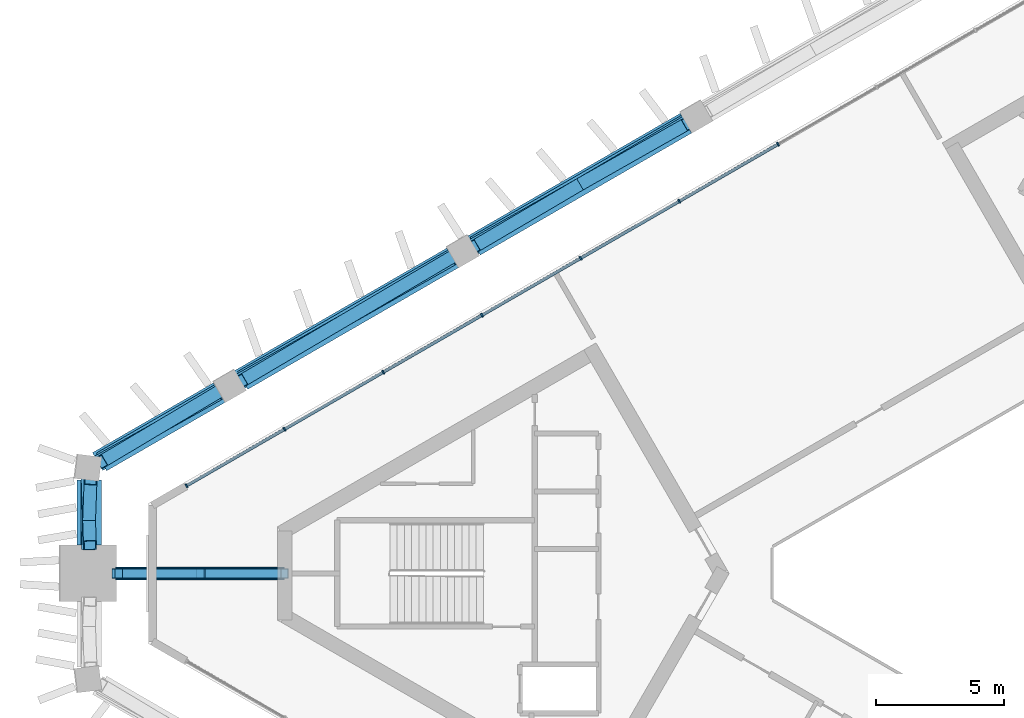
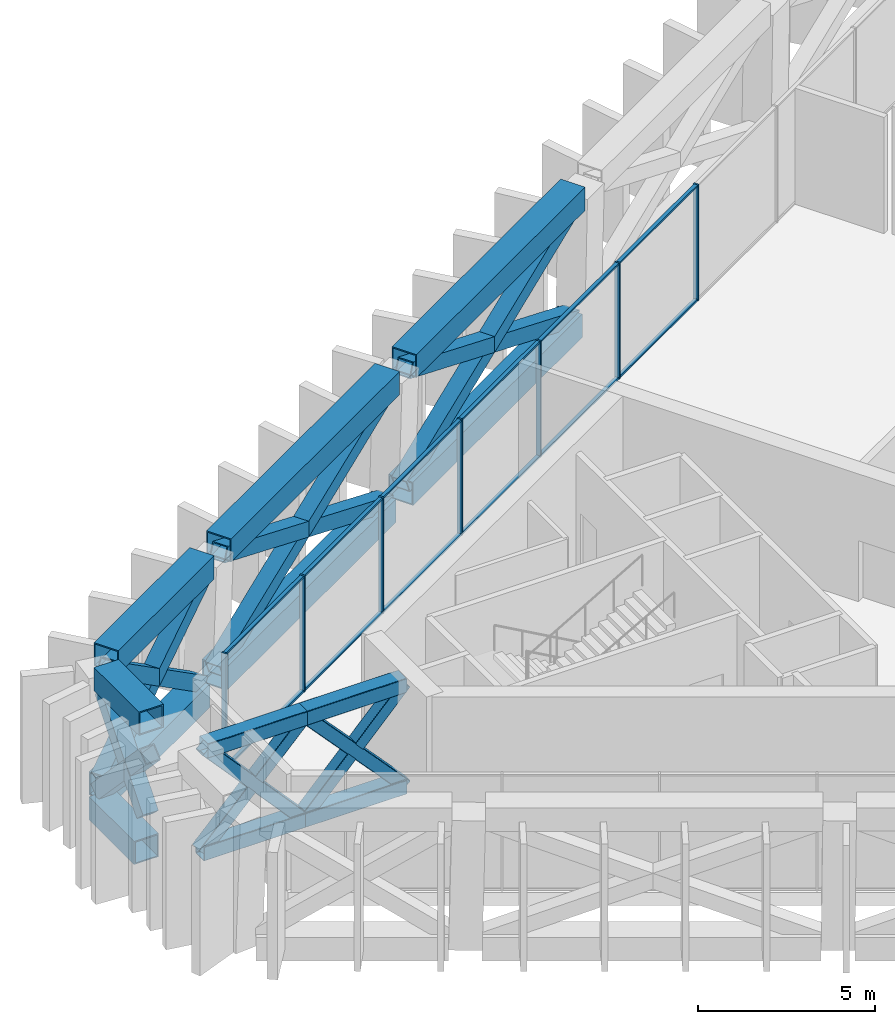
# One storey, part 5 of 15: 43 members, 1 element without a shape of its own.
"""IFC4 building model written with IfcOpenShell, lengths in metres."""

from ifc_helpers import new_model, si_unit, direction, frame, origin, origin_2d, place, context, subcontext, project, spatial, rectangle, hollow_rectangle, extrude, material, layer, layer_set, material_profile, profile_set, type_object, element, aggregate, save


model = new_model("IFC4")

# Units and contexts
model_context = context("Model", 3, precision=1e-05, world=origin(), true_north=direction((0.0, 1.0)))
body_context = subcontext(model_context, "Body", "Model", "MODEL_VIEW")
ifc_project = project(units=[si_unit("LENGTHUNIT", "METRE"), si_unit("AREAUNIT", "SQUARE_METRE"), si_unit("VOLUMEUNIT", "CUBIC_METRE"), si_unit("PLANEANGLEUNIT", "RADIAN"), si_unit("MASSUNIT", "GRAM", prefix="KILO")], contexts=[model_context])

# Site, building, storey
site_placement = place(None, origin())
site = spatial("IfcSite", under=ifc_project, at=site_placement, CompositionType="ELEMENT")
building_placement = place(site_placement, origin())
building = spatial("IfcBuilding", under=site, at=building_placement, Name="Jabali Bay Hotel Tower and Convention Centre", CompositionType="ELEMENT")
storey_placement = place(building_placement, frame((0.0, 0.0, 201.39990234375)))
storey = spatial("IfcBuildingStorey", under=building, at=storey_placement, Name="L49", CompositionType="ELEMENT", Elevation=201.39990234375)

# Members
ifc_material_1 = material(Name="Steel Q420GJC", Category="steel")
ifc_material_profile_1 = material_profile(ifc_material_1, hollow_rectangle(XDim=0.5, YDim=0.5, WallThickness=0.030029296875, at=origin_2d()), Name="Belt brace 500x500x30")
ifc_profile_set_1 = profile_set([ifc_material_profile_1], Name="Steel Q420GJC")
member_type_1 = type_object("IfcMemberType", Name="Belt brace 500x500x30", PredefinedType="BRACE", material=ifc_profile_set_1)
member_1_placement = place(storey_placement, frame((64.2958984375, 97.590087890625, 0.19970703125), z_axis=(-0.794404690147, -0.467659995781, 0.387576207498), x_axis=(0.507312743637, -0.861762020597, 0.0)))
element("IfcMember", 1, at=member_1_placement, inside=storey, type_object=member_type_1, Name="Belt brace T4 F1.3-F1.4 x1", PredefinedType="BRACE", context=body_context, shape_type="SweptSolid", body=[
    extrude(hollow_rectangle(XDim=0.5, YDim=0.5, WallThickness=0.030029296875, at=origin_2d()), origin(), (0.0, 0.0, 1.0), 10.322509765625),
])
member_2_placement = place(storey_placement, frame((56.014892578125, 92.80908203125, 0.198974609375), z_axis=(0.802738191331, 0.454478314696, 0.386084003359), x_axis=(-0.492678845652, 0.870211212894, 0.0)))
element("IfcMember", 2, at=member_2_placement, inside=storey, type_object=member_type_1, Name="Belt brace T4 F1.3-F1.4 x2", PredefinedType="BRACE", context=body_context, shape_type="SweptSolid", body=[
    extrude(hollow_rectangle(XDim=0.5, YDim=0.5, WallThickness=0.030029296875, at=origin_2d()), origin(), (0.0, 0.0, 1.0), 10.3662109375),
])
member_3_placement = place(storey_placement, frame((55.192138671875, 92.333984375, 0.20068359375), z_axis=(-0.79384591824, -0.467385958924, 0.389048870317), x_axis=(0.50735700666, -0.861735961762, 0.0)))
element("IfcMember", 3, at=member_3_placement, inside=storey, type_object=member_type_1, Name="Belt brace T4 F1.4-F1.5 x1", PredefinedType="BRACE", context=body_context, shape_type="SweptSolid", body=[
    extrude(hollow_rectangle(XDim=0.5, YDim=0.5, WallThickness=0.030029296875, at=origin_2d()), origin(), (0.0, 0.0, 1.0), 10.2783203125),
])
member_4_placement = place(storey_placement, frame((46.910888671875, 87.552978515625, 0.197998046875), z_axis=(0.803258748783, 0.454793790586, 0.384627079843), x_axis=(-0.49269587417, 0.870201571807, 0.0)))
element("IfcMember", 4, at=member_4_placement, inside=storey, type_object=member_type_1, Name="Belt brace T4 F1.4-F1.5 x2", PredefinedType="BRACE", context=body_context, shape_type="SweptSolid", body=[
    extrude(hollow_rectangle(XDim=0.5, YDim=0.5, WallThickness=0.030029296875, at=origin_2d()), origin(), (0.0, 0.0, 1.0), 10.410400390625),
])
member_5_placement = place(storey_placement, frame((46.089599609375, 87.07568359375, 0.333984375), z_axis=(-0.702600609543, -0.419054839885, 0.575104707543), x_axis=(0.512242002327, -0.858841155891, 0.0)))
element("IfcMember", 5, at=member_5_placement, inside=storey, type_object=member_type_1, Name="Belt brace T4 F1.5-V3 x1", PredefinedType="BRACE", context=body_context, shape_type="SweptSolid", body=[
    extrude(hollow_rectangle(XDim=0.5, YDim=0.5, WallThickness=0.030029296875, at=origin_2d()), origin(), (0.0, 0.0, 1.0), 6.489501953125),
])
member_6_placement = place(storey_placement, frame((41.381591796875, 84.357666015625, 0.322509765625), z_axis=(0.722084787714, 0.403807985927, 0.561722947594), x_axis=(-0.488088462161, 0.872794164225, 0.0)))
element("IfcMember", 6, at=member_6_placement, inside=storey, type_object=member_type_1, Name="Belt brace T4 F1.5-V3 x2", PredefinedType="BRACE", context=body_context, shape_type="SweptSolid", body=[
    extrude(hollow_rectangle(XDim=0.5, YDim=0.5, WallThickness=0.030029296875, at=origin_2d()), origin(), (0.0, 0.0, 1.0), 6.68505859375),
])
member_7_placement = place(storey_placement, frame((40.98486328125, 83.651123046875, 0.50634765625), z_axis=(0.025709058742, -0.683808628576, 0.729208340451), x_axis=(0.999293986366, 0.037570318248, 0.0)))
element("IfcMember", 7, at=member_7_placement, inside=storey, type_object=member_type_1, Name="Belt brace T4 V3-M0 x1", PredefinedType="BRACE", context=body_context, shape_type="SweptSolid", body=[
    extrude(hollow_rectangle(XDim=0.5, YDim=0.5, WallThickness=0.030029296875, at=origin_2d()), origin(), (0.0, 0.0, 1.0), 3.73193359375),
])
member_8_placement = place(storey_placement, frame((41.008544921875, 81.09912109375, 1.176025390625), z_axis=(0.025664835143, 0.682645231432, 0.730299119704), x_axis=(-0.999294012939, 0.037569611448, 0.0)))
element("IfcMember", 8, at=member_8_placement, inside=storey, type_object=member_type_1, Name="Belt brace T4 V3-M0 x2", PredefinedType="BRACE", context=body_context, shape_type="SweptSolid", body=[
    extrude(hollow_rectangle(XDim=0.5, YDim=0.5, WallThickness=0.030029296875, at=origin_2d()), origin(), (0.0, 0.0, 1.0), 3.719482421875),
])
ifc_material_profile_2 = material_profile(ifc_material_1, hollow_rectangle(XDim=0.800048828125, YDim=0.800048828125, WallThickness=0.0400390625, at=origin_2d()), Name="Belt chord 800x800x40")
ifc_profile_set_2 = profile_set([ifc_material_profile_2], Name="Steel Q420GJC")
member_type_2 = type_object("IfcMemberType", Name="Belt chord 800x800x40", PredefinedType="CHORD", material=ifc_profile_set_2)
member_9_placement = place(storey_placement, frame((64.2939453125, 97.59375, 0.0), z_axis=(-0.866022320763, -0.500005339912, 0.0), x_axis=(0.500005339912, -0.866022320763, 0.0)))
element("IfcMember", 9, at=member_9_placement, inside=storey, type_object=member_type_2, Name="Belt chord T4 F1.3-F1.4", PredefinedType="CHORD", context=body_context, shape_type="SweptSolid", body=[
    extrude(hollow_rectangle(XDim=0.800048828125, YDim=0.800048828125, WallThickness=0.0400390625, at=origin_2d()), origin(), (0.0, 0.0, 1.0), 9.5625),
])
member_10_placement = place(storey_placement, frame((55.18994140625, 92.337646484375, 0.0), z_axis=(-0.866015937585, -0.50001639558, 0.0), x_axis=(0.50001639558, -0.866015937585, 0.0)))
element("IfcMember", 10, at=member_10_placement, inside=storey, type_object=member_type_2, Name="Belt chord T4 F1.4-F1.5", PredefinedType="CHORD", context=body_context, shape_type="SweptSolid", body=[
    extrude(hollow_rectangle(XDim=0.800048828125, YDim=0.800048828125, WallThickness=0.0400390625, at=origin_2d()), origin(), (0.0, 0.0, 1.0), 9.562255859375),
])
member_11_placement = place(storey_placement, frame((46.086181640625, 87.08154296875, 0.0), z_axis=(-0.86600683621, -0.500032158604, 0.0), x_axis=(0.500032158604, -0.86600683621, 0.0)))
element("IfcMember", 11, at=member_11_placement, inside=storey, type_object=member_type_2, Name="Belt chord T4 F1.5-V3", PredefinedType="CHORD", context=body_context, shape_type="SweptSolid", body=[
    extrude(hollow_rectangle(XDim=0.800048828125, YDim=0.800048828125, WallThickness=0.0400390625, at=origin_2d()), origin(), (0.0, 0.0, 1.0), 5.436279296875),
])
member_12_placement = place(storey_placement, frame((40.967041015625, 83.65087890625, 0.0), z_axis=(0.0, -1.0, 0.0), x_axis=(1.0, 0.0, 0.0)))
element("IfcMember", 12, at=member_12_placement, inside=storey, type_object=member_type_2, Name="Belt chord T4 V3-M0", PredefinedType="CHORD", context=body_context, shape_type="SweptSolid", body=[
    extrude(hollow_rectangle(XDim=0.800048828125, YDim=0.800048828125, WallThickness=0.0400390625, at=origin_2d()), origin(), (0.0, 0.0, 1.0), 2.55078125),
])
for number, where, z_axis, x_axis, name in (
    (13, (64.338134765625, 97.5166015625, 4.400146484375), (-0.866022362689, -0.500005267295, 0.0), (0.500005267295, -0.866022362689, 0.0), "Belt chord T4 F1.3-F1.4"),
    (14, (55.275146484375, 92.2841796875, 4.400146484375), (-0.866028777211, -0.499994157009, 0.0), (0.499994157009, -0.866028777211, 0.0), "Belt chord T4 F1.4-F1.5"),
):
    element("IfcMember", number, at=place(storey_placement, frame(where, z_axis=z_axis, x_axis=x_axis)), inside=storey, type_object=member_type_2, Name=name, PredefinedType="CHORD", context=body_context, shape_type="SweptSolid", body=[
        extrude(hollow_rectangle(XDim=0.800048828125, YDim=0.800048828125, WallThickness=0.0400390625, at=origin_2d()), origin(), (0.0, 0.0, 1.0), 9.51513671875),
    ])
member_13_placement = place(storey_placement, frame((46.2119140625, 87.051513671875, 4.400146484375), z_axis=(-0.866020770008, -0.50000802585, 0.0), x_axis=(0.50000802585, -0.866020770008, 0.0)))
element("IfcMember", 15, at=member_13_placement, inside=storey, type_object=member_type_2, Name="Belt chord T4 F1.5-V3", PredefinedType="CHORD", context=body_context, shape_type="SweptSolid", body=[
    extrude(hollow_rectangle(XDim=0.800048828125, YDim=0.800048828125, WallThickness=0.0400390625, at=origin_2d()), origin(), (0.0, 0.0, 1.0), 5.40234375),
])
member_14_placement = place(storey_placement, frame((41.1220703125, 83.6376953125, 4.400146484375), z_axis=(0.0, -1.0, 0.0), x_axis=(1.0, 0.0, 0.0)))
element("IfcMember", 16, at=member_14_placement, inside=storey, type_object=member_type_2, Name="Belt chord T4 V3-M0", PredefinedType="CHORD", context=body_context, shape_type="SweptSolid", body=[
    extrude(hollow_rectangle(XDim=0.800048828125, YDim=0.800048828125, WallThickness=0.0400390625, at=origin_2d()), origin(), (0.0, 0.0, 1.0), 2.53759765625),
])

# Curtain wall, members
ifc_material_2 = material(Name="Aluminium and glass", Category="aluminium")
ifc_layer = layer(ifc_material_2, 0.159912109375)
ifc_layer_set = layer_set([ifc_layer], Name="Aluminium and glass")
curtain_wall_type = type_object("IfcCurtainWallType", Name="CW3 curtain wall", PredefinedType="NOTDEFINED", material=ifc_layer_set)
curtain_wall_placement = place(storey_placement, origin())
curtain_wall = element("IfcCurtainWall", 17, at=curtain_wall_placement, inside=storey, type_object=curtain_wall_type, Name="CW3 curtain wall north-west face L49", PredefinedType="NOTDEFINED")
ifc_material_3 = material(Name="Aluminium", Category="aluminium")
ifc_material_profile_3 = material_profile(ifc_material_3, rectangle(XDim=0.159912109375, YDim=0.06005859375, at=origin_2d()), Name="CW3 mullion 60 x 160")
ifc_profile_set_3 = profile_set([ifc_material_profile_3], Name="Aluminium")
member_type_3 = type_object("IfcMemberType", Name="CW3 mullion 60 x 160", PredefinedType="MULLION", material=ifc_profile_set_3)
member_15_placement = place(storey_placement, frame((44.842041015625, 83.418701171875, 0.0), z_axis=(0.0, 0.0, 1.0), x_axis=(-0.500000002025, 0.866025402615, 0.0)))
member_15 = element("IfcMember", 18, at=member_15_placement, type_object=member_type_3, Name="CW3 mullion 1", PredefinedType="MULLION", context=body_context, shape_type="SweptSolid", body=[
    extrude(rectangle(XDim=0.159912109375, YDim=0.06005859375, at=origin_2d()), origin(), (0.0, 0.0, 1.0), 4.0),
])
member_16_placement = place(storey_placement, frame((48.6640625, 85.625244140625, 0.0), z_axis=(0.0, 0.0, 1.0), x_axis=(-0.500000002025, 0.866025402615, 0.0)))
member_16 = element("IfcMember", 19, at=member_16_placement, type_object=member_type_3, Name="CW3 mullion 2", PredefinedType="MULLION", context=body_context, shape_type="SweptSolid", body=[
    extrude(rectangle(XDim=0.159912109375, YDim=0.06005859375, at=origin_2d()), origin(), (0.0, 0.0, 1.0), 4.0),
])
member_17_placement = place(storey_placement, frame((52.51220703125, 87.846923828125, 0.0), z_axis=(0.0, 0.0, 1.0), x_axis=(-0.500000002025, 0.866025402615, 0.0)))
member_17 = element("IfcMember", 20, at=member_17_placement, type_object=member_type_3, Name="CW3 mullion 3", PredefinedType="MULLION", context=body_context, shape_type="SweptSolid", body=[
    extrude(rectangle(XDim=0.159912109375, YDim=0.06005859375, at=origin_2d()), origin(), (0.0, 0.0, 1.0), 4.0),
])
member_18_placement = place(storey_placement, frame((56.360107421875, 90.068603515625, 0.0), z_axis=(0.0, 0.0, 1.0), x_axis=(-0.500000002025, 0.866025402615, 0.0)))
member_18 = element("IfcMember", 21, at=member_18_placement, type_object=member_type_3, Name="CW3 mullion 4", PredefinedType="MULLION", context=body_context, shape_type="SweptSolid", body=[
    extrude(rectangle(XDim=0.159912109375, YDim=0.06005859375, at=origin_2d()), origin(), (0.0, 0.0, 1.0), 4.0),
])
member_19_placement = place(storey_placement, frame((60.208251953125, 92.290283203125, 0.0), z_axis=(0.0, 0.0, 1.0), x_axis=(-0.500000002025, 0.866025402615, 0.0)))
member_19 = element("IfcMember", 22, at=member_19_placement, type_object=member_type_3, Name="CW3 mullion 5", PredefinedType="MULLION", context=body_context, shape_type="SweptSolid", body=[
    extrude(rectangle(XDim=0.159912109375, YDim=0.06005859375, at=origin_2d()), origin(), (0.0, 0.0, 1.0), 4.0),
])
member_20_placement = place(storey_placement, frame((64.05615234375, 94.511962890625, 0.0), z_axis=(0.0, 0.0, 1.0), x_axis=(-0.500000002025, 0.866025402615, 0.0)))
member_20 = element("IfcMember", 23, at=member_20_placement, type_object=member_type_3, Name="CW3 mullion 6", PredefinedType="MULLION", context=body_context, shape_type="SweptSolid", body=[
    extrude(rectangle(XDim=0.159912109375, YDim=0.06005859375, at=origin_2d()), origin(), (0.0, 0.0, 1.0), 4.0),
])
member_21_placement = place(storey_placement, frame((67.904296875, 96.733642578125, 0.0), z_axis=(0.0, 0.0, 1.0), x_axis=(-0.500000002025, 0.866025402615, 0.0)))
member_21 = element("IfcMember", 24, at=member_21_placement, type_object=member_type_3, Name="CW3 mullion 7", PredefinedType="MULLION", context=body_context, shape_type="SweptSolid", body=[
    extrude(rectangle(XDim=0.159912109375, YDim=0.06005859375, at=origin_2d()), origin(), (0.0, 0.0, 1.0), 4.0),
])
ifc_material_profile_4 = material_profile(ifc_material_3, rectangle(XDim=0.1201171875, YDim=0.06005859375, at=origin_2d()), Name="CW3 transom 60 x 120")
ifc_profile_set_4 = profile_set([ifc_material_profile_4], Name="Aluminium")
member_type_4 = type_object("IfcMemberType", Name="CW3 transom 60 x 120", PredefinedType="USERDEFINED", material=ifc_profile_set_4)
member_22_placement = place(storey_placement, frame((44.867919921875, 83.43359375, 0.030029296875), z_axis=(0.86602589447, 0.499999150107, 0.0), x_axis=(-0.499999150107, 0.86602589447, 0.0)))
member_22 = element("IfcMember", 25, at=member_22_placement, type_object=member_type_4, Name="CW3 transom 1.1", ObjectType="TRANSOM", PredefinedType="USERDEFINED", context=body_context, shape_type="SweptSolid", body=[
    extrude(rectangle(XDim=0.1201171875, YDim=0.06005859375, at=origin_2d()), origin(), (0.0, 0.0, 1.0), 4.353515625),
])
member_23_placement = place(storey_placement, frame((44.867919921875, 83.43359375, 3.97021484375), z_axis=(0.86602589447, 0.499999150107, 0.0), x_axis=(-0.499999150107, 0.86602589447, 0.0)))
member_23 = element("IfcMember", 26, at=member_23_placement, type_object=member_type_4, Name="CW3 transom 1.2", ObjectType="TRANSOM", PredefinedType="USERDEFINED", context=body_context, shape_type="SweptSolid", body=[
    extrude(rectangle(XDim=0.1201171875, YDim=0.06005859375, at=origin_2d()), origin(), (0.0, 0.0, 1.0), 4.353515625),
])
member_24_placement = place(storey_placement, frame((48.68994140625, 85.640380859375, 0.030029296875), z_axis=(0.866030693553, 0.49999083774, 0.0), x_axis=(-0.49999083774, 0.866030693553, 0.0)))
member_24 = element("IfcMember", 27, at=member_24_placement, type_object=member_type_4, Name="CW3 transom 2.1", ObjectType="TRANSOM", PredefinedType="USERDEFINED", context=body_context, shape_type="SweptSolid", body=[
    extrude(rectangle(XDim=0.1201171875, YDim=0.06005859375, at=origin_2d()), origin(), (0.0, 0.0, 1.0), 4.38330078125),
])
member_25_placement = place(storey_placement, frame((48.68994140625, 85.640380859375, 3.97021484375), z_axis=(0.866030693553, 0.49999083774, 0.0), x_axis=(-0.49999083774, 0.866030693553, 0.0)))
member_25 = element("IfcMember", 28, at=member_25_placement, type_object=member_type_4, Name="CW3 transom 2.2", ObjectType="TRANSOM", PredefinedType="USERDEFINED", context=body_context, shape_type="SweptSolid", body=[
    extrude(rectangle(XDim=0.1201171875, YDim=0.06005859375, at=origin_2d()), origin(), (0.0, 0.0, 1.0), 4.38330078125),
])
member_26_placement = place(storey_placement, frame((52.5380859375, 87.862060546875, 0.030029296875), z_axis=(0.866030693553, 0.49999083774, 0.0), x_axis=(-0.49999083774, 0.866030693553, 0.0)))
member_26 = element("IfcMember", 29, at=member_26_placement, type_object=member_type_4, Name="CW3 transom 3.1", ObjectType="TRANSOM", PredefinedType="USERDEFINED", context=body_context, shape_type="SweptSolid", body=[
    extrude(rectangle(XDim=0.1201171875, YDim=0.06005859375, at=origin_2d()), origin(), (0.0, 0.0, 1.0), 4.38330078125),
])
member_27_placement = place(storey_placement, frame((52.5380859375, 87.862060546875, 3.97021484375), z_axis=(0.866030693553, 0.49999083774, 0.0), x_axis=(-0.49999083774, 0.866030693553, 0.0)))
member_27 = element("IfcMember", 30, at=member_27_placement, type_object=member_type_4, Name="CW3 transom 3.2", ObjectType="TRANSOM", PredefinedType="USERDEFINED", context=body_context, shape_type="SweptSolid", body=[
    extrude(rectangle(XDim=0.1201171875, YDim=0.06005859375, at=origin_2d()), origin(), (0.0, 0.0, 1.0), 4.38330078125),
])
member_28_placement = place(storey_placement, frame((56.385986328125, 90.08349609375, 0.030029296875), z_axis=(0.866006576058, 0.500032609161, 0.0), x_axis=(-0.500032609161, 0.866006576058, 0.0)))
member_28 = element("IfcMember", 31, at=member_28_placement, type_object=member_type_4, Name="CW3 transom 4.1", ObjectType="TRANSOM", PredefinedType="USERDEFINED", context=body_context, shape_type="SweptSolid", body=[
    extrude(rectangle(XDim=0.1201171875, YDim=0.06005859375, at=origin_2d()), origin(), (0.0, 0.0, 1.0), 4.383544921875),
])
member_29_placement = place(storey_placement, frame((56.385986328125, 90.08349609375, 3.97021484375), z_axis=(0.866006576058, 0.500032609161, 0.0), x_axis=(-0.500032609161, 0.866006576058, 0.0)))
member_29 = element("IfcMember", 32, at=member_29_placement, type_object=member_type_4, Name="CW3 transom 4.2", ObjectType="TRANSOM", PredefinedType="USERDEFINED", context=body_context, shape_type="SweptSolid", body=[
    extrude(rectangle(XDim=0.1201171875, YDim=0.06005859375, at=origin_2d()), origin(), (0.0, 0.0, 1.0), 4.383544921875),
])
member_30_placement = place(storey_placement, frame((60.234130859375, 92.30517578125, 0.030029296875), z_axis=(0.866030693553, 0.49999083774, 0.0), x_axis=(-0.49999083774, 0.866030693553, 0.0)))
member_30 = element("IfcMember", 33, at=member_30_placement, type_object=member_type_4, Name="CW3 transom 5.1", ObjectType="TRANSOM", PredefinedType="USERDEFINED", context=body_context, shape_type="SweptSolid", body=[
    extrude(rectangle(XDim=0.1201171875, YDim=0.06005859375, at=origin_2d()), origin(), (0.0, 0.0, 1.0), 4.38330078125),
])
member_31_placement = place(storey_placement, frame((60.234130859375, 92.30517578125, 3.97021484375), z_axis=(0.866030693553, 0.49999083774, 0.0), x_axis=(-0.49999083774, 0.866030693553, 0.0)))
member_31 = element("IfcMember", 34, at=member_31_placement, type_object=member_type_4, Name="CW3 transom 5.2", ObjectType="TRANSOM", PredefinedType="USERDEFINED", context=body_context, shape_type="SweptSolid", body=[
    extrude(rectangle(XDim=0.1201171875, YDim=0.06005859375, at=origin_2d()), origin(), (0.0, 0.0, 1.0), 4.38330078125),
])
member_32_placement = place(storey_placement, frame((64.082275390625, 94.52685546875, 0.030029296875), z_axis=(0.866016768837, 0.500014955869, 0.0), x_axis=(-0.500014955869, 0.866016768837, 0.0)))
member_32 = element("IfcMember", 35, at=member_32_placement, type_object=member_type_4, Name="CW3 transom 6.1", ObjectType="TRANSOM", PredefinedType="USERDEFINED", context=body_context, shape_type="SweptSolid", body=[
    extrude(rectangle(XDim=0.1201171875, YDim=0.06005859375, at=origin_2d()), origin(), (0.0, 0.0, 1.0), 4.383056640625),
])
member_33_placement = place(storey_placement, frame((64.082275390625, 94.52685546875, 3.97021484375), z_axis=(0.866016768837, 0.500014955869, 0.0), x_axis=(-0.500014955869, 0.866016768837, 0.0)))
member_33 = element("IfcMember", 36, at=member_33_placement, type_object=member_type_4, Name="CW3 transom 6.2", ObjectType="TRANSOM", PredefinedType="USERDEFINED", context=body_context, shape_type="SweptSolid", body=[
    extrude(rectangle(XDim=0.1201171875, YDim=0.06005859375, at=origin_2d()), origin(), (0.0, 0.0, 1.0), 4.383056640625),
])
aggregate(curtain_wall, [member_15, member_16, member_17, member_18, member_19, member_20, member_21, member_22, member_23, member_24, member_25, member_26, member_27, member_28, member_29, member_30, member_31, member_32, member_33])

# Members
ifc_material_profile_5 = material_profile(ifc_material_1, hollow_rectangle(XDim=0.39990234375, YDim=0.39990234375, WallThickness=0.011962890625, InnerFilletRadius=0.01806640625, OuterFilletRadius=0.030029296875, at=origin_2d()), Name="Outrigger brace 400x400x12")
ifc_profile_set_5 = profile_set([ifc_material_profile_5], Name="Steel Q420GJC")
member_type_5 = type_object("IfcMemberType", Name="Outrigger brace 400x400x12", PredefinedType="BRACE", material=ifc_profile_set_5)
member_34_placement = place(storey_placement, frame((48.671875, 80.0, 0.25), z_axis=(-0.678909490533, 0.0, 0.734221971657), x_axis=(0.0, -1.0, 0.0)))
element("IfcMember", 37, at=member_34_placement, inside=storey, type_object=member_type_5, Name="Outrigger brace T4 1.1x1", PredefinedType="BRACE", context=body_context, shape_type="SweptSolid", body=[
    extrude(hollow_rectangle(XDim=0.39990234375, YDim=0.39990234375, WallThickness=0.011962890625, InnerFilletRadius=0.01806640625, OuterFilletRadius=0.030029296875, at=origin_2d()), origin(), (0.0, 0.0, 1.0), 4.766845703125),
])
member_35_placement = place(storey_placement, frame((45.373779296875, 80.0, 0.25), z_axis=(0.685803214939, 0.0, 0.727787022679), x_axis=(0.0, 1.0, 0.0)))
element("IfcMember", 38, at=member_35_placement, inside=storey, type_object=member_type_5, Name="Outrigger brace T4 1.1x2", PredefinedType="BRACE", context=body_context, shape_type="SweptSolid", body=[
    extrude(hollow_rectangle(XDim=0.39990234375, YDim=0.39990234375, WallThickness=0.011962890625, InnerFilletRadius=0.01806640625, OuterFilletRadius=0.030029296875, at=origin_2d()), origin(), (0.0, 0.0, 1.0), 4.80908203125),
])
member_36_placement = place(storey_placement, frame((45.373779296875, 80.0, 0.25), z_axis=(-0.671831419766, 0.0, 0.740704086269), x_axis=(0.0, -1.0, 0.0)))
element("IfcMember", 39, at=member_36_placement, inside=storey, type_object=member_type_5, Name="Outrigger brace T4 1.2x1", PredefinedType="BRACE", context=body_context, shape_type="SweptSolid", body=[
    extrude(hollow_rectangle(XDim=0.39990234375, YDim=0.39990234375, WallThickness=0.011962890625, InnerFilletRadius=0.01806640625, OuterFilletRadius=0.030029296875, at=origin_2d()), origin(), (0.0, 0.0, 1.0), 4.725341796875),
])
member_37_placement = place(storey_placement, frame((42.075927734375, 80.0, 0.25), z_axis=(0.692490973912, 0.0, 0.721426538915), x_axis=(0.0, 1.0, 0.0)))
element("IfcMember", 40, at=member_37_placement, inside=storey, type_object=member_type_5, Name="Outrigger brace T4 1.2x2", PredefinedType="BRACE", context=body_context, shape_type="SweptSolid", body=[
    extrude(hollow_rectangle(XDim=0.39990234375, YDim=0.39990234375, WallThickness=0.011962890625, InnerFilletRadius=0.01806640625, OuterFilletRadius=0.030029296875, at=origin_2d()), origin(), (0.0, 0.0, 1.0), 4.8515625),
])
ifc_material_profile_6 = material_profile(ifc_material_1, hollow_rectangle(XDim=0.5, YDim=0.5, WallThickness=0.01611328125, InnerFilletRadius=0.02392578125, OuterFilletRadius=0.0400390625, at=origin_2d()), Name="Outrigger chord 500x500x16")
ifc_profile_set_6 = profile_set([ifc_material_profile_6], Name="Steel Q420GJC")
member_type_6 = type_object("IfcMemberType", Name="Outrigger chord 500x500x16", PredefinedType="CHORD", material=ifc_profile_set_6)
member_38_placement = place(storey_placement, frame((48.671875, 80.0, 0.25), z_axis=(-1.0, 0.0, 0.0), x_axis=(0.0, -1.0, 0.0)))
element("IfcMember", 41, at=member_38_placement, inside=storey, type_object=member_type_6, Name="Outrigger chord T4 1.lo1", PredefinedType="CHORD", context=body_context, shape_type="SweptSolid", body=[
    extrude(hollow_rectangle(XDim=0.5, YDim=0.5, WallThickness=0.01611328125, InnerFilletRadius=0.02392578125, OuterFilletRadius=0.0400390625, at=origin_2d()), origin(), (0.0, 0.0, 1.0), 3.298095703125),
])
member_39_placement = place(storey_placement, frame((45.373779296875, 80.0, 0.25), z_axis=(-1.0, 0.0, 0.0), x_axis=(0.0, -1.0, 0.0)))
element("IfcMember", 42, at=member_39_placement, inside=storey, type_object=member_type_6, Name="Outrigger chord T4 1.lo2", PredefinedType="CHORD", context=body_context, shape_type="SweptSolid", body=[
    extrude(hollow_rectangle(XDim=0.5, YDim=0.5, WallThickness=0.01611328125, InnerFilletRadius=0.02392578125, OuterFilletRadius=0.0400390625, at=origin_2d()), origin(), (0.0, 0.0, 1.0), 3.2978515625),
])
for number, where, z_axis, x_axis, name in (
    (43, (48.671875, 80.0, 3.75), (-1.0, 0.0, 0.0), (0.0, -1.0, 0.0), "Outrigger chord T4 1.hi1"),
    (44, (45.435546875, 80.0, 3.75), (-1.0, 0.0, 0.0), (0.0, -1.0, 0.0), "Outrigger chord T4 1.hi2"),
):
    element("IfcMember", number, at=place(storey_placement, frame(where, z_axis=z_axis, x_axis=x_axis)), inside=storey, type_object=member_type_6, Name=name, PredefinedType="CHORD", context=body_context, shape_type="SweptSolid", body=[
        extrude(hollow_rectangle(XDim=0.5, YDim=0.5, WallThickness=0.01611328125, InnerFilletRadius=0.02392578125, OuterFilletRadius=0.0400390625, at=origin_2d()), origin(), (0.0, 0.0, 1.0), 3.236328125),
    ])

save(model, "model.ifc")
